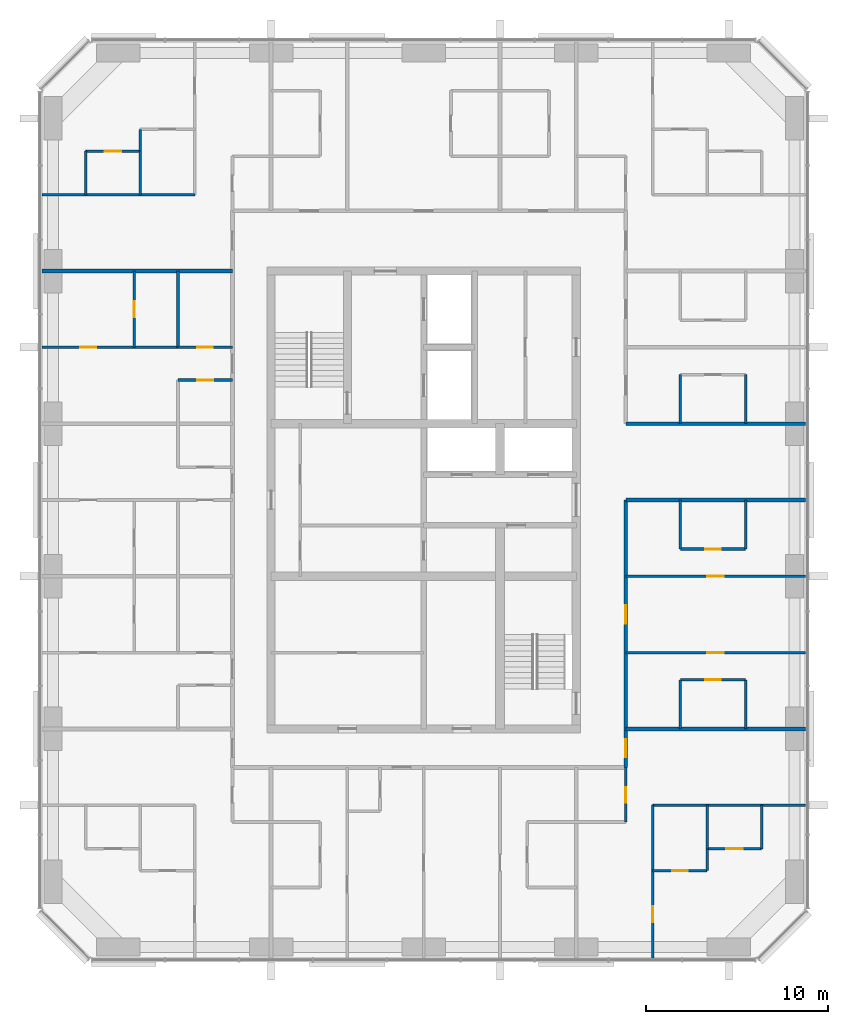
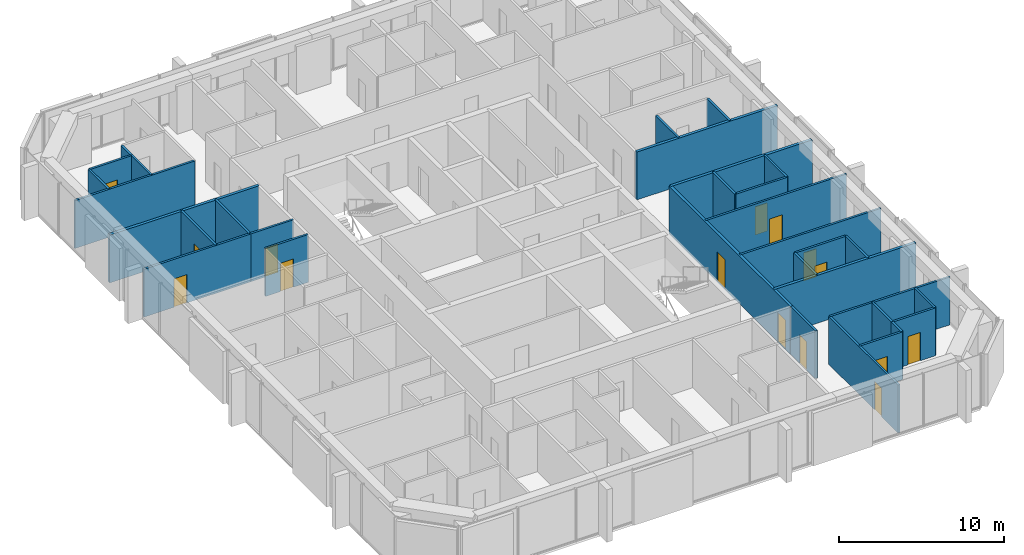
# One storey, part 9 of 12: 33 walls, 15 doors, 15 openings.
"""IFC4 building model written with IfcOpenShell, lengths in metres."""

from ifc_helpers import new_model, si_unit, direction, frame, frame_2d, origin, place, context, subcontext, project, spatial, rectangle, extrude, material, layer, layer_set, type_object, element, fill, save


model = new_model("IFC4")

# Units and contexts
model_context = context("Model", 3, precision=1e-05, world=origin(), true_north=direction((0.0, 1.0)))
body_context = subcontext(model_context, "Body", "Model", "MODEL_VIEW")
ifc_project = project(units=[si_unit("LENGTHUNIT", "METRE"), si_unit("AREAUNIT", "SQUARE_METRE"), si_unit("VOLUMEUNIT", "CUBIC_METRE"), si_unit("PLANEANGLEUNIT", "RADIAN"), si_unit("MASSUNIT", "GRAM", prefix="KILO")], contexts=[model_context])

# Site, building, storey
site_placement = place(None, origin())
site = spatial("IfcSite", under=ifc_project, at=site_placement, CompositionType="ELEMENT")
building_placement = place(site_placement, origin())
building = spatial("IfcBuilding", under=site, at=building_placement, Name="Dunama Terrace Hotel", CompositionType="ELEMENT")
storey_placement = place(building_placement, frame((0.0, 0.0, 256.800048828125)))
storey = spatial("IfcBuildingStorey", under=building, at=storey_placement, Name="L66", CompositionType="ELEMENT", Elevation=256.800048828125)

# Wall
ifc_material_1 = material(Name="Gypsum board partition", Category="masonry")
ifc_layer_1 = layer(ifc_material_1, 0.14990234375)
ifc_layer_set_1 = layer_set([ifc_layer_1], Name="Bathroom partition 150")
wall_type_1 = type_object("IfcWallType", Name="Bathroom partition 150", PredefinedType="PARTITIONING", material=ifc_layer_set_1)
wall_1_placement = place(storey_placement, frame((18.0, 48.60009765625, 0.0), z_axis=(0.0, 0.0, 1.0), x_axis=(0.0, 1.0, 0.0)))
element("IfcWall", 1, at=wall_1_placement, inside=storey, type_object=wall_type_1, Name="Bathroom partition 150 L66", PredefinedType="PARTITIONING", context=body_context, shape_type="SweptSolid", body=[
    extrude(rectangle(XDim=1.199951171875, YDim=0.14990234375, at=frame_2d((0.60009765625, 0.0))), origin(), (0.0, 0.0, 1.0), 3.550048828125),
])

# Wall, opening, door
wall_2_placement = place(storey_placement, frame((44.72509765625, 11.675048828125, 0.0), z_axis=(0.0, 0.0, 1.0), x_axis=(0.0, 1.0, 0.0)))
wall_2 = element("IfcWall", 2, at=wall_2_placement, inside=storey, type_object=wall_type_1, Name="Bathroom partition 150 L66", PredefinedType="PARTITIONING", context=body_context, shape_type="SweptSolid", body=[
    extrude(rectangle(XDim=3.0, YDim=0.14990234375, at=frame_2d((1.5, 0.0))), origin(), (0.0, 0.0, 1.0), 3.550048828125),
])
opening_1_placement = place(wall_2_placement, frame((1.074951171875, 0.0, 0.0)))
opening_1 = element("IfcOpeningElement", 3, at=opening_1_placement, cuts=wall_2, Name="Opening L65-67-050", PredefinedType="OPENING", context=body_context, shape_type="SweptSolid", body=[
    extrude(rectangle(XDim=0.85009765625, YDim=2.10009765625, at=frame_2d((0.425048828125, 1.050048828125))), frame((0.0, 0.0849609375, 0.0), z_axis=(0.0, -1.0, 0.0), x_axis=(1.0, 0.0, 0.0)), (0.0, 0.0, 1.0), 0.169921875),
])
ifc_material_2 = material(Name="Timber door with steel frame", Category="steel")
door_type_1 = type_object("IfcDoorType", Name="Bathroom door 850", OperationType="SINGLE_SWING_LEFT", PredefinedType="DOOR", material=ifc_material_2)
door_1_placement = place(opening_1_placement, origin())
door_1 = element("IfcDoor", 4, at=door_1_placement, inside=storey, type_object=door_type_1, Name="Door to powder room L65-67-050, type D2", OperationType="SINGLE_SWING_RIGHT", OverallHeight=2.10009765625, OverallWidth=0.85009765625, PredefinedType="DOOR", context=body_context, shape_type="SweptSolid", body=[
    extrude(rectangle(XDim=0.85009765625, YDim=2.10009765625, at=frame_2d((0.425048828125, 1.050048828125))), frame((0.0, 0.02490234375, 0.0), z_axis=(0.0, -1.0, 0.0), x_axis=(1.0, 0.0, 0.0)), (0.0, 0.0, 1.0), 0.050048828125),
])
fill(opening_1, door_1)

# Walls
for number, where, z_axis, x_axis, name in (
    (5, (47.72509765625, 16.800048828125, 0.0), (0.0, 0.0, 1.0), (0.0, 1.0, 0.0), "Bathroom partition 150 L66"),
    (6, (47.72509765625, 26.699951171875, 0.0), (0.0, 0.0, 1.0), (0.0, 1.0, 0.0), "Bathroom partition 150 L66"),
    (7, (47.72509765625, 33.60009765625, 0.0), (0.0, 0.0, 1.0), (0.0, 1.0, 0.0), "Bathroom partition 150 L66"),
):
    element("IfcWall", number, at=place(storey_placement, frame(where, z_axis=z_axis, x_axis=x_axis)), inside=storey, type_object=wall_type_1, Name=name, PredefinedType="PARTITIONING", context=body_context, shape_type="SweptSolid", body=[
        extrude(rectangle(XDim=2.699951171875, YDim=0.14990234375, at=frame_2d((1.35009765625, 0.0))), origin(), (0.0, 0.0, 1.0), 3.550048828125),
    ])
wall_3_placement = place(storey_placement, frame((49.199951171875, 9.0, 0.0), z_axis=(0.0, 0.0, 1.0), x_axis=(0.0, 1.0, 0.0)))
element("IfcWall", 8, at=wall_3_placement, inside=storey, type_object=wall_type_1, Name="Bathroom partition 150 L66", PredefinedType="PARTITIONING", context=body_context, shape_type="SweptSolid", body=[
    extrude(rectangle(XDim=1.199951171875, YDim=0.14990234375, at=frame_2d((0.60009765625, 0.0))), origin(), (0.0, 0.0, 1.0), 3.550048828125),
])
for number, where, z_axis, x_axis, name in (
    (9, (51.324951171875, 16.800048828125, 0.0), (0.0, 0.0, 1.0), (0.0, 1.0, 0.0), "Bathroom partition 150 L66"),
    (10, (51.324951171875, 26.699951171875, 0.0), (0.0, 0.0, 1.0), (0.0, 1.0, 0.0), "Bathroom partition 150 L66"),
    (11, (51.324951171875, 33.60009765625, 0.0), (0.0, 0.0, 1.0), (0.0, 1.0, 0.0), "Bathroom partition 150 L66"),
):
    element("IfcWall", number, at=place(storey_placement, frame(where, z_axis=z_axis, x_axis=x_axis)), inside=storey, type_object=wall_type_1, Name=name, PredefinedType="PARTITIONING", context=body_context, shape_type="SweptSolid", body=[
        extrude(rectangle(XDim=2.699951171875, YDim=0.14990234375, at=frame_2d((1.35009765625, 0.0))), origin(), (0.0, 0.0, 1.0), 3.550048828125),
    ])

# Wall, opening, door
wall_4_placement = place(storey_placement, frame((46.199951171875, 9.0, 0.0), z_axis=(0.0, 0.0, 1.0), x_axis=(1.0, 0.0, 0.0)))
wall_4 = element("IfcWall", 12, at=wall_4_placement, inside=storey, type_object=wall_type_1, Name="Bathroom partition 150 L66", PredefinedType="PARTITIONING", context=body_context, shape_type="SweptSolid", body=[
    extrude(rectangle(XDim=3.0, YDim=0.14990234375, at=frame_2d((1.5, 0.0))), origin(), (0.0, 0.0, 1.0), 3.550048828125),
])
opening_2_placement = place(wall_4_placement, frame((1.074951171875, 0.0, 0.0)))
opening_2 = element("IfcOpeningElement", 13, at=opening_2_placement, cuts=wall_4, Name="Opening L65-67-052", PredefinedType="OPENING", context=body_context, shape_type="SweptSolid", body=[
    extrude(rectangle(XDim=0.85009765625, YDim=2.10009765625, at=frame_2d((0.425048828125, 1.050048828125))), frame((0.0, 0.0849609375, 0.0), z_axis=(0.0, -1.0, 0.0), x_axis=(1.0, 0.0, 0.0)), (0.0, 0.0, 1.0), 0.169921875),
])
door_2_placement = place(opening_2_placement, origin())
door_2 = element("IfcDoor", 14, at=door_2_placement, inside=storey, type_object=door_type_1, Name="Door to en-suite bathroom L65-67-052, type D2", OperationType="SINGLE_SWING_RIGHT", OverallHeight=2.10009765625, OverallWidth=0.85009765625, PredefinedType="DOOR", context=body_context, shape_type="SweptSolid", body=[
    extrude(rectangle(XDim=0.85009765625, YDim=2.10009765625, at=frame_2d((0.425048828125, 1.050048828125))), frame((0.0, 0.02490234375, 0.0), z_axis=(0.0, -1.0, 0.0), x_axis=(1.0, 0.0, 0.0)), (0.0, 0.0, 1.0), 0.050048828125),
])
fill(opening_2, door_2)

wall_5_placement = place(storey_placement, frame((47.72509765625, 19.5, 0.0), z_axis=(0.0, 0.0, 1.0), x_axis=(1.0, 0.0, 0.0)))
wall_5 = element("IfcWall", 15, at=wall_5_placement, inside=storey, type_object=wall_type_1, Name="Bathroom partition 150 L66", PredefinedType="PARTITIONING", context=body_context, shape_type="SweptSolid", body=[
    extrude(rectangle(XDim=3.599853515625, YDim=0.14990234375, at=frame_2d((1.7998046875, 0.0))), origin(), (0.0, 0.0, 1.0), 3.550048828125),
])
opening_3_placement = place(wall_5_placement, frame((1.375, 0.0, 0.0)))
opening_3 = element("IfcOpeningElement", 16, at=opening_3_placement, cuts=wall_5, Name="Opening L65-67-016", PredefinedType="OPENING", context=body_context, shape_type="SweptSolid", body=[
    extrude(rectangle(XDim=0.85009765625, YDim=2.10009765625, at=frame_2d((0.425048828125, 1.050048828125))), frame((0.0, 0.0849609375, 0.0), z_axis=(0.0, -1.0, 0.0), x_axis=(1.0, 0.0, 0.0)), (0.0, 0.0, 1.0), 0.169921875),
])
door_3_placement = place(opening_3_placement, frame((0.85009765625, 0.0, 0.0), z_axis=(0.0, 0.0, 1.0), x_axis=(-1.0, 0.0, 0.0)))
door_3 = element("IfcDoor", 17, at=door_3_placement, inside=storey, type_object=door_type_1, Name="Door to en-suite bathroom L65-67-016, type D2", OperationType="SINGLE_SWING_RIGHT", OverallHeight=2.10009765625, OverallWidth=0.85009765625, PredefinedType="DOOR", context=body_context, shape_type="SweptSolid", body=[
    extrude(rectangle(XDim=0.85009765625, YDim=2.10009765625, at=frame_2d((0.425048828125, 1.050048828125))), frame((0.0, 0.025146484375, 0.0), z_axis=(0.0, -1.0, 0.0), x_axis=(1.0, 0.0, 0.0)), (0.0, 0.0, 1.0), 0.050048828125),
])
fill(opening_3, door_3)

wall_6_placement = place(storey_placement, frame((47.72509765625, 26.699951171875, 0.0), z_axis=(0.0, 0.0, 1.0), x_axis=(1.0, 0.0, 0.0)))
wall_6 = element("IfcWall", 18, at=wall_6_placement, inside=storey, type_object=wall_type_1, Name="Bathroom partition 150 L66", PredefinedType="PARTITIONING", context=body_context, shape_type="SweptSolid", body=[
    extrude(rectangle(XDim=3.599853515625, YDim=0.14990234375, at=frame_2d((1.7998046875, 0.0))), origin(), (0.0, 0.0, 1.0), 3.550048828125),
])
opening_4_placement = place(wall_6_placement, frame((1.375, 0.0, 0.0)))
opening_4 = element("IfcOpeningElement", 19, at=opening_4_placement, cuts=wall_6, Name="Opening L65-67-018", PredefinedType="OPENING", context=body_context, shape_type="SweptSolid", body=[
    extrude(rectangle(XDim=0.85009765625, YDim=2.10009765625, at=frame_2d((0.425048828125, 1.050048828125))), frame((0.0, 0.0849609375, 0.0), z_axis=(0.0, -1.0, 0.0), x_axis=(1.0, 0.0, 0.0)), (0.0, 0.0, 1.0), 0.169921875),
])
door_4_placement = place(opening_4_placement, origin())
door_4 = element("IfcDoor", 20, at=door_4_placement, inside=storey, type_object=door_type_1, Name="Door to en-suite bathroom L65-67-018, type D2", OperationType="SINGLE_SWING_LEFT", OverallHeight=2.10009765625, OverallWidth=0.85009765625, PredefinedType="DOOR", context=body_context, shape_type="SweptSolid", body=[
    extrude(rectangle(XDim=0.85009765625, YDim=2.10009765625, at=frame_2d((0.425048828125, 1.050048828125))), frame((0.0, 0.02490234375, 0.0), z_axis=(0.0, -1.0, 0.0), x_axis=(1.0, 0.0, 0.0)), (0.0, 0.0, 1.0), 0.050048828125),
])
fill(opening_4, door_4)

wall_7_placement = place(storey_placement, frame((20.074951171875, 37.800048828125, 0.0), z_axis=(0.0, 0.0, 1.0), x_axis=(1.0, 0.0, 0.0)))
wall_7 = element("IfcWall", 21, at=wall_7_placement, inside=storey, type_object=wall_type_1, Name="Bathroom partition 150 L66", PredefinedType="PARTITIONING", context=body_context, shape_type="SweptSolid", body=[
    extrude(rectangle(XDim=3.0, YDim=0.14990234375, at=frame_2d((1.5, 0.0))), origin(), (0.0, 0.0, 1.0), 3.550048828125),
])
opening_5_placement = place(wall_7_placement, frame((1.074951171875, 0.0, 0.0)))
opening_5 = element("IfcOpeningElement", 22, at=opening_5_placement, cuts=wall_7, Name="Opening L65-67-041", PredefinedType="OPENING", context=body_context, shape_type="SweptSolid", body=[
    extrude(rectangle(XDim=0.85009765625, YDim=2.10009765625, at=frame_2d((0.425048828125, 1.050048828125))), frame((0.0, 0.0849609375, 0.0), z_axis=(0.0, -1.0, 0.0), x_axis=(1.0, 0.0, 0.0)), (0.0, 0.0, 1.0), 0.169921875),
])
door_5_placement = place(opening_5_placement, origin())
door_5 = element("IfcDoor", 23, at=door_5_placement, inside=storey, type_object=door_type_1, Name="Door to residence bathroom L65-67-041, type D2", OperationType="SINGLE_SWING_RIGHT", OverallHeight=2.10009765625, OverallWidth=0.85009765625, PredefinedType="DOOR", context=body_context, shape_type="SweptSolid", body=[
    extrude(rectangle(XDim=0.85009765625, YDim=2.10009765625, at=frame_2d((0.425048828125, 1.050048828125))), frame((0.0, 0.02490234375, 0.0), z_axis=(0.0, -1.0, 0.0), x_axis=(1.0, 0.0, 0.0)), (0.0, 0.0, 1.0), 0.050048828125),
])
fill(opening_5, door_5)

# Wall
ifc_material_3 = material(Name="Concrete blockwork", Category="masonry")
ifc_layer_2 = layer(ifc_material_3, 0.199951171875)
ifc_layer_set_2 = layer_set([ifc_layer_2], Name="Corridor partition 200")
wall_type_2 = type_object("IfcWallType", Name="Corridor partition 200", PredefinedType="PARTITIONING", material=ifc_layer_set_2)
wall_8_placement = place(storey_placement, frame((44.72509765625, 33.60009765625, 0.0), z_axis=(0.0, 0.0, 1.0), x_axis=(1.0, 0.0, 0.0)))
element("IfcWall", 24, at=wall_8_placement, inside=storey, type_object=wall_type_2, Name="Corridor partition 200 L66", PredefinedType="PARTITIONING", context=body_context, shape_type="SweptSolid", body=[
    extrude(rectangle(XDim=9.892822265625, YDim=0.199951171875, at=frame_2d((4.9462890625, 0.0))), origin(), (0.0, 0.0, 1.0), 3.550048828125),
])

# Wall, openings, doors
wall_9_placement = place(storey_placement, frame((44.72509765625, 29.39990234375, 0.0), z_axis=(0.0, 0.0, 1.0), x_axis=(0.0, -1.0, 0.0)))
wall_9 = element("IfcWall", 25, at=wall_9_placement, inside=storey, type_object=wall_type_2, Name="Corridor partition 200 L66", PredefinedType="PARTITIONING", context=body_context, shape_type="SweptSolid", body=[
    extrude(rectangle(XDim=14.724853515625, YDim=0.199951171875, at=frame_2d((7.3623046875, 0.0))), origin(), (0.0, 0.0, 1.0), 3.550048828125),
])
opening_6_placement = place(wall_9_placement, frame((5.800048828125, 0.0, 0.0)))
opening_6 = element("IfcOpeningElement", 26, at=opening_6_placement, cuts=wall_9, Name="Opening L65-67-014", PredefinedType="OPENING", context=body_context, shape_type="SweptSolid", body=[
    extrude(rectangle(XDim=1.0, YDim=2.199951171875, at=frame_2d((0.5, 1.10009765625))), frame((0.0, 0.10986328125, 0.0), z_axis=(0.0, -1.0, 0.0), x_axis=(1.0, 0.0, 0.0)), (0.0, 0.0, 1.0), 0.219970703125),
])
opening_7_placement = place(wall_9_placement, frame((13.162109375, 0.0, 0.0)))
opening_7 = element("IfcOpeningElement", 27, at=opening_7_placement, cuts=wall_9, Name="Opening L65-67-049", PredefinedType="OPENING", context=body_context, shape_type="SweptSolid", body=[
    extrude(rectangle(XDim=1.0, YDim=2.199951171875, at=frame_2d((0.5, 1.10009765625))), frame((0.0, 0.10986328125, 0.0), z_axis=(0.0, -1.0, 0.0), x_axis=(1.0, 0.0, 0.0)), (0.0, 0.0, 1.0), 0.219970703125),
])
ifc_material_4 = material(Name="Timber door with steel frame", Category="steel")
door_type_2 = type_object("IfcDoorType", Name="Guest room door 1000", OperationType="SINGLE_SWING_LEFT", PredefinedType="DOOR", material=ifc_material_4)
door_6_placement = place(opening_6_placement, origin())
door_6 = element("IfcDoor", 28, at=door_6_placement, inside=storey, type_object=door_type_2, Name="Door to two-bedroom suite living room L65-67-014, type D1", OperationType="SINGLE_SWING_RIGHT", OverallHeight=2.199951171875, OverallWidth=1.0, PredefinedType="DOOR", context=body_context, shape_type="SweptSolid", body=[
    extrude(rectangle(XDim=1.0, YDim=2.199951171875, at=frame_2d((0.5, 1.10009765625))), frame((0.0, 0.02490234375, 0.0), z_axis=(0.0, -1.0, 0.0), x_axis=(1.0, 0.0, 0.0)), (0.0, 0.0, 1.0), 0.050048828125),
])
fill(opening_6, door_6)
door_7_placement = place(opening_7_placement, origin())
door_7 = element("IfcDoor", 29, at=door_7_placement, inside=storey, type_object=door_type_2, Name="Door to grand corner suite living room L65-67-049, type D1", OperationType="SINGLE_SWING_LEFT", OverallHeight=2.199951171875, OverallWidth=1.0, PredefinedType="DOOR", context=body_context, shape_type="SweptSolid", body=[
    extrude(rectangle(XDim=1.0, YDim=2.199951171875, at=frame_2d((0.5, 1.10009765625))), frame((0.0, 0.02490234375, 0.0), z_axis=(0.0, -1.0, 0.0), x_axis=(1.0, 0.0, 0.0)), (0.0, 0.0, 1.0), 0.050048828125),
])
fill(opening_7, door_7)

# Walls
wall_10_placement = place(storey_placement, frame((54.617919921875, 29.39990234375, 0.0), z_axis=(0.0, 0.0, 1.0), x_axis=(-1.0, 0.0, 0.0)))
element("IfcWall", 30, at=wall_10_placement, inside=storey, type_object=wall_type_2, Name="Corridor partition 200 L66", PredefinedType="PARTITIONING", context=body_context, shape_type="SweptSolid", body=[
    extrude(rectangle(XDim=9.892822265625, YDim=0.199951171875, at=frame_2d((4.9462890625, 0.0))), origin(), (0.0, 0.0, 1.0), 3.550048828125),
])
ifc_material_5 = material(Name="Concrete blockwork", Category="masonry")
ifc_layer_3 = layer(ifc_material_5, 0.199951171875)
ifc_layer_set_3 = layer_set([ifc_layer_3], Name="Party wall 200")
wall_type_3 = type_object("IfcWallType", Name="Party wall 200", PredefinedType="PARTITIONING", material=ifc_layer_set_3)
wall_11_placement = place(storey_placement, frame((44.72509765625, 16.800048828125, 0.0), z_axis=(0.0, 0.0, 1.0), x_axis=(1.0, 0.0, 0.0)))
element("IfcWall", 31, at=wall_11_placement, inside=storey, type_object=wall_type_3, Name="Party wall 200 L66", PredefinedType="PARTITIONING", context=body_context, shape_type="SweptSolid", body=[
    extrude(rectangle(XDim=9.892822265625, YDim=0.199951171875, at=frame_2d((4.9462890625, 0.0))), origin(), (0.0, 0.0, 1.0), 3.550048828125),
])
wall_12_placement = place(storey_placement, frame((12.58203125, 42.0, 0.0), z_axis=(0.0, 0.0, 1.0), x_axis=(1.0, 0.0, 0.0)))
element("IfcWall", 32, at=wall_12_placement, inside=storey, type_object=wall_type_3, Name="Party wall 200 L66", PredefinedType="PARTITIONING", context=body_context, shape_type="SweptSolid", body=[
    extrude(rectangle(XDim=10.492919921875, YDim=0.199951171875, at=frame_2d((5.24658203125, 0.0))), origin(), (0.0, 0.0, 1.0), 3.550048828125),
])
ifc_material_6 = material(Name="Gypsum board partition", Category="masonry")
ifc_layer_4 = layer(ifc_material_6, 0.14990234375)
ifc_layer_set_4 = layer_set([ifc_layer_4], Name="Room partition 150")
wall_type_4 = type_object("IfcWallType", Name="Room partition 150", PredefinedType="PARTITIONING", material=ifc_layer_set_4)
wall_13_placement = place(storey_placement, frame((15.0, 46.199951171875, 0.0), z_axis=(0.0, 0.0, 1.0), x_axis=(0.0, 1.0, 0.0)))
element("IfcWall", 33, at=wall_13_placement, inside=storey, type_object=wall_type_4, Name="Room partition 150 L66", PredefinedType="PARTITIONING", context=body_context, shape_type="SweptSolid", body=[
    extrude(rectangle(XDim=2.400146484375, YDim=0.14990234375, at=frame_2d((1.2001953125, 0.0))), origin(), (0.0, 0.0, 1.0), 3.550048828125),
])

# Wall, opening, door
wall_14_placement = place(storey_placement, frame((17.675048828125, 37.800048828125, 0.0), z_axis=(0.0, 0.0, 1.0), x_axis=(0.0, 1.0, 0.0)))
wall_14 = element("IfcWall", 34, at=wall_14_placement, inside=storey, type_object=wall_type_4, Name="Room partition 150 L66", PredefinedType="PARTITIONING", context=body_context, shape_type="SweptSolid", body=[
    extrude(rectangle(XDim=4.199951171875, YDim=0.14990234375, at=frame_2d((2.10009765625, 0.0))), origin(), (0.0, 0.0, 1.0), 3.550048828125),
])
opening_8_placement = place(wall_14_placement, frame((1.64990234375, 0.0, 0.0)))
opening_8 = element("IfcOpeningElement", 35, at=opening_8_placement, cuts=wall_14, Name="Opening L65-67-042", PredefinedType="OPENING", context=body_context, shape_type="SweptSolid", body=[
    extrude(rectangle(XDim=0.89990234375, YDim=2.10009765625, at=frame_2d((0.449951171875, 1.050048828125))), frame((0.0, 0.0849609375, 0.0), z_axis=(0.0, -1.0, 0.0), x_axis=(1.0, 0.0, 0.0)), (0.0, 0.0, 1.0), 0.169921875),
])
ifc_material_7 = material(Name="Timber door with steel frame", Category="steel")
door_type_3 = type_object("IfcDoorType", Name="Suite internal door 900", OperationType="SINGLE_SWING_LEFT", PredefinedType="DOOR", material=ifc_material_7)
door_8_placement = place(opening_8_placement, frame((0.89990234375, 0.0, 0.0), z_axis=(0.0, 0.0, 1.0), x_axis=(-1.0, 0.0, 0.0)))
door_8 = element("IfcDoor", 36, at=door_8_placement, inside=storey, type_object=door_type_3, Name="Door to walk-in wardrobe L65-67-042, type D16", OperationType="SINGLE_SWING_RIGHT", OverallHeight=2.10009765625, OverallWidth=0.89990234375, PredefinedType="DOOR", context=body_context, shape_type="SweptSolid", body=[
    extrude(rectangle(XDim=0.89990234375, YDim=2.10009765625, at=frame_2d((0.449951171875, 1.050048828125))), frame((0.0, 0.025146484375, 0.0), z_axis=(0.0, -1.0, 0.0), x_axis=(1.0, 0.0, 0.0)), (0.0, 0.0, 1.0), 0.050048828125),
])
fill(opening_8, door_8)

# Walls
wall_15_placement = place(storey_placement, frame((18.0, 46.199951171875, 0.0), z_axis=(0.0, 0.0, 1.0), x_axis=(0.0, 1.0, 0.0)))
element("IfcWall", 37, at=wall_15_placement, inside=storey, type_object=wall_type_4, Name="Room partition 150 L66", PredefinedType="PARTITIONING", context=body_context, shape_type="SweptSolid", body=[
    extrude(rectangle(XDim=2.400146484375, YDim=0.14990234375, at=frame_2d((1.2001953125, 0.0))), origin(), (0.0, 0.0, 1.0), 3.550048828125),
])
wall_16_placement = place(storey_placement, frame((20.074951171875, 37.800048828125, 0.0), z_axis=(0.0, 0.0, 1.0), x_axis=(0.0, 1.0, 0.0)))
element("IfcWall", 38, at=wall_16_placement, inside=storey, type_object=wall_type_4, Name="Room partition 150 L66", PredefinedType="PARTITIONING", context=body_context, shape_type="SweptSolid", body=[
    extrude(rectangle(XDim=4.199951171875, YDim=0.14990234375, at=frame_2d((2.10009765625, 0.0))), origin(), (0.0, 0.0, 1.0), 3.550048828125),
])

# Wall, opening, door
wall_17_placement = place(storey_placement, frame((46.199951171875, 4.181884765625, 0.0), z_axis=(0.0, 0.0, 1.0), x_axis=(0.0, 1.0, 0.0)))
wall_17 = element("IfcWall", 39, at=wall_17_placement, inside=storey, type_object=wall_type_4, Name="Room partition 150 L66", PredefinedType="PARTITIONING", context=body_context, shape_type="SweptSolid", body=[
    extrude(rectangle(XDim=8.418212890625, YDim=0.14990234375, at=frame_2d((4.208984375, 0.0))), origin(), (0.0, 0.0, 1.0), 3.550048828125),
])
opening_9_placement = place(wall_17_placement, frame((1.968017578125, 0.0, 0.0)))
opening_9 = element("IfcOpeningElement", 40, at=opening_9_placement, cuts=wall_17, Name="Opening L65-67-051", PredefinedType="OPENING", context=body_context, shape_type="SweptSolid", body=[
    extrude(rectangle(XDim=0.89990234375, YDim=2.10009765625, at=frame_2d((0.449951171875, 1.050048828125))), frame((0.0, 0.0849609375, 0.0), z_axis=(0.0, -1.0, 0.0), x_axis=(1.0, 0.0, 0.0)), (0.0, 0.0, 1.0), 0.169921875),
])
door_9_placement = place(opening_9_placement, frame((0.89990234375, 0.0, 0.0), z_axis=(0.0, 0.0, 1.0), x_axis=(-1.0, 0.0, 0.0)))
door_9 = element("IfcDoor", 41, at=door_9_placement, inside=storey, type_object=door_type_3, Name="Door to grand corner suite bedroom L65-67-051, type D16", OperationType="SINGLE_SWING_LEFT", OverallHeight=2.10009765625, OverallWidth=0.89990234375, PredefinedType="DOOR", context=body_context, shape_type="SweptSolid", body=[
    extrude(rectangle(XDim=0.89990234375, YDim=2.10009765625, at=frame_2d((0.449951171875, 1.050048828125))), frame((0.0, 0.025146484375, 0.0), z_axis=(0.0, -1.0, 0.0), x_axis=(1.0, 0.0, 0.0)), (0.0, 0.0, 1.0), 0.050048828125),
])
fill(opening_9, door_9)

# Walls
for number, where, z_axis, x_axis, name in (
    (42, (49.199951171875, 10.199951171875, 0.0), (0.0, 0.0, 1.0), (0.0, 1.0, 0.0), "Room partition 150 L66"),
    (43, (52.199951171875, 10.199951171875, 0.0), (0.0, 0.0, 1.0), (0.0, 1.0, 0.0), "Room partition 150 L66"),
):
    element("IfcWall", number, at=place(storey_placement, frame(where, z_axis=z_axis, x_axis=x_axis)), inside=storey, type_object=wall_type_4, Name=name, PredefinedType="PARTITIONING", context=body_context, shape_type="SweptSolid", body=[
        extrude(rectangle(XDim=2.400146484375, YDim=0.14990234375, at=frame_2d((1.2001953125, 0.0))), origin(), (0.0, 0.0, 1.0), 3.550048828125),
    ])

# Wall, opening, door
wall_18_placement = place(storey_placement, frame((49.199951171875, 10.199951171875, 0.0), z_axis=(0.0, 0.0, 1.0), x_axis=(1.0, 0.0, 0.0)))
wall_18 = element("IfcWall", 44, at=wall_18_placement, inside=storey, type_object=wall_type_4, Name="Room partition 150 L66", PredefinedType="PARTITIONING", context=body_context, shape_type="SweptSolid", body=[
    extrude(rectangle(XDim=3.0, YDim=0.14990234375, at=frame_2d((1.5, 0.0))), origin(), (0.0, 0.0, 1.0), 3.550048828125),
])
opening_10_placement = place(wall_18_placement, frame((1.050048828125, 0.0, 0.0)))
opening_10 = element("IfcOpeningElement", 45, at=opening_10_placement, cuts=wall_18, Name="Opening L65-67-053", PredefinedType="OPENING", context=body_context, shape_type="SweptSolid", body=[
    extrude(rectangle(XDim=0.89990234375, YDim=2.10009765625, at=frame_2d((0.449951171875, 1.050048828125))), frame((0.0, 0.0849609375, 0.0), z_axis=(0.0, -1.0, 0.0), x_axis=(1.0, 0.0, 0.0)), (0.0, 0.0, 1.0), 0.169921875),
])
door_10_placement = place(opening_10_placement, origin())
door_10 = element("IfcDoor", 46, at=door_10_placement, inside=storey, type_object=door_type_3, Name="Door to dressing room L65-67-053, type D16", OperationType="SINGLE_SWING_LEFT", OverallHeight=2.10009765625, OverallWidth=0.89990234375, PredefinedType="DOOR", context=body_context, shape_type="SweptSolid", body=[
    extrude(rectangle(XDim=0.89990234375, YDim=2.10009765625, at=frame_2d((0.449951171875, 1.050048828125))), frame((0.0, 0.02490234375, 0.0), z_axis=(0.0, -1.0, 0.0), x_axis=(1.0, 0.0, 0.0)), (0.0, 0.0, 1.0), 0.050048828125),
])
fill(opening_10, door_10)

# Wall
wall_19_placement = place(storey_placement, frame((46.199951171875, 12.60009765625, 0.0), z_axis=(0.0, 0.0, 1.0), x_axis=(1.0, 0.0, 0.0)))
element("IfcWall", 47, at=wall_19_placement, inside=storey, type_object=wall_type_4, Name="Room partition 150 L66", PredefinedType="PARTITIONING", context=body_context, shape_type="SweptSolid", body=[
    extrude(rectangle(XDim=8.41796875, YDim=0.14990234375, at=frame_2d((4.208984375, 0.0))), origin(), (0.0, 0.0, 1.0), 3.550048828125),
])

# Wall, opening, door
wall_20_placement = place(storey_placement, frame((44.72509765625, 21.0, 0.0), z_axis=(0.0, 0.0, 1.0), x_axis=(1.0, 0.0, 0.0)))
wall_20 = element("IfcWall", 48, at=wall_20_placement, inside=storey, type_object=wall_type_4, Name="Room partition 150 L66", PredefinedType="PARTITIONING", context=body_context, shape_type="SweptSolid", body=[
    extrude(rectangle(XDim=9.892822265625, YDim=0.14990234375, at=frame_2d((4.9462890625, 0.0))), origin(), (0.0, 0.0, 1.0), 3.550048828125),
])
opening_11_placement = place(wall_20_placement, frame((4.487060546875, 0.0, 0.0)))
opening_11 = element("IfcOpeningElement", 49, at=opening_11_placement, cuts=wall_20, Name="Opening L65-67-015", PredefinedType="OPENING", context=body_context, shape_type="SweptSolid", body=[
    extrude(rectangle(XDim=0.89990234375, YDim=2.10009765625, at=frame_2d((0.449951171875, 1.050048828125))), frame((0.0, 0.0849609375, 0.0), z_axis=(0.0, -1.0, 0.0), x_axis=(1.0, 0.0, 0.0)), (0.0, 0.0, 1.0), 0.169921875),
])
door_11_placement = place(opening_11_placement, frame((0.89990234375, 0.0, 0.0), z_axis=(0.0, 0.0, 1.0), x_axis=(-1.0, 0.0, 0.0)))
door_11 = element("IfcDoor", 50, at=door_11_placement, inside=storey, type_object=door_type_3, Name="Door to two-bedroom suite bedroom L65-67-015, type D16", OperationType="SINGLE_SWING_RIGHT", OverallHeight=2.10009765625, OverallWidth=0.89990234375, PredefinedType="DOOR", context=body_context, shape_type="SweptSolid", body=[
    extrude(rectangle(XDim=0.89990234375, YDim=2.10009765625, at=frame_2d((0.449951171875, 1.050048828125))), frame((0.0, 0.025146484375, 0.0), z_axis=(0.0, -1.0, 0.0), x_axis=(1.0, 0.0, 0.0)), (0.0, 0.0, 1.0), 0.050048828125),
])
fill(opening_11, door_11)

wall_21_placement = place(storey_placement, frame((44.72509765625, 25.199951171875, 0.0), z_axis=(0.0, 0.0, 1.0), x_axis=(1.0, 0.0, 0.0)))
wall_21 = element("IfcWall", 51, at=wall_21_placement, inside=storey, type_object=wall_type_4, Name="Room partition 150 L66", PredefinedType="PARTITIONING", context=body_context, shape_type="SweptSolid", body=[
    extrude(rectangle(XDim=9.892822265625, YDim=0.14990234375, at=frame_2d((4.9462890625, 0.0))), origin(), (0.0, 0.0, 1.0), 3.550048828125),
])
opening_12_placement = place(wall_21_placement, frame((4.487060546875, 0.0, 0.0)))
opening_12 = element("IfcOpeningElement", 52, at=opening_12_placement, cuts=wall_21, Name="Opening L65-67-017", PredefinedType="OPENING", context=body_context, shape_type="SweptSolid", body=[
    extrude(rectangle(XDim=0.89990234375, YDim=2.10009765625, at=frame_2d((0.449951171875, 1.050048828125))), frame((0.0, 0.0849609375, 0.0), z_axis=(0.0, -1.0, 0.0), x_axis=(1.0, 0.0, 0.0)), (0.0, 0.0, 1.0), 0.169921875),
])
door_12_placement = place(opening_12_placement, origin())
door_12 = element("IfcDoor", 53, at=door_12_placement, inside=storey, type_object=door_type_3, Name="Door to two-bedroom suite second bedroom L65-67-017, type D16", OperationType="SINGLE_SWING_LEFT", OverallHeight=2.10009765625, OverallWidth=0.89990234375, PredefinedType="DOOR", context=body_context, shape_type="SweptSolid", body=[
    extrude(rectangle(XDim=0.89990234375, YDim=2.10009765625, at=frame_2d((0.449951171875, 1.050048828125))), frame((0.0, 0.02490234375, 0.0), z_axis=(0.0, -1.0, 0.0), x_axis=(1.0, 0.0, 0.0)), (0.0, 0.0, 1.0), 0.050048828125),
])
fill(opening_12, door_12)

wall_22_placement = place(storey_placement, frame((20.074951171875, 36.0, 0.0), z_axis=(0.0, 0.0, 1.0), x_axis=(1.0, 0.0, 0.0)))
wall_22 = element("IfcWall", 54, at=wall_22_placement, inside=storey, type_object=wall_type_4, Name="Room partition 150 L66", PredefinedType="PARTITIONING", context=body_context, shape_type="SweptSolid", body=[
    extrude(rectangle(XDim=3.0, YDim=0.14990234375, at=frame_2d((1.5, 0.0))), origin(), (0.0, 0.0, 1.0), 3.550048828125),
])
opening_13_placement = place(wall_22_placement, frame((1.050048828125, 0.0, 0.0)))
opening_13 = element("IfcOpeningElement", 55, at=opening_13_placement, cuts=wall_22, Name="Opening L65-67-040", PredefinedType="OPENING", context=body_context, shape_type="SweptSolid", body=[
    extrude(rectangle(XDim=0.89990234375, YDim=2.10009765625, at=frame_2d((0.449951171875, 1.050048828125))), frame((0.0, 0.0849609375, 0.0), z_axis=(0.0, -1.0, 0.0), x_axis=(1.0, 0.0, 0.0)), (0.0, 0.0, 1.0), 0.169921875),
])
door_13_placement = place(opening_13_placement, frame((0.89990234375, 0.0, 0.0), z_axis=(0.0, 0.0, 1.0), x_axis=(-1.0, 0.0, 0.0)))
door_13 = element("IfcDoor", 56, at=door_13_placement, inside=storey, type_object=door_type_3, Name="Door to residence kitchen L65-67-040, type D16", OperationType="SINGLE_SWING_LEFT", OverallHeight=2.10009765625, OverallWidth=0.89990234375, PredefinedType="DOOR", context=body_context, shape_type="SweptSolid", body=[
    extrude(rectangle(XDim=0.89990234375, YDim=2.10009765625, at=frame_2d((0.449951171875, 1.050048828125))), frame((0.0, 0.025146484375, 0.0), z_axis=(0.0, -1.0, 0.0), x_axis=(1.0, 0.0, 0.0)), (0.0, 0.0, 1.0), 0.050048828125),
])
fill(opening_13, door_13)

wall_23_placement = place(storey_placement, frame((12.58203125, 37.800048828125, 0.0), z_axis=(0.0, 0.0, 1.0), x_axis=(1.0, 0.0, 0.0)))
wall_23 = element("IfcWall", 57, at=wall_23_placement, inside=storey, type_object=wall_type_4, Name="Room partition 150 L66", PredefinedType="PARTITIONING", context=body_context, shape_type="SweptSolid", body=[
    extrude(rectangle(XDim=7.492919921875, YDim=0.14990234375, at=frame_2d((3.74658203125, 0.0))), origin(), (0.0, 0.0, 1.0), 3.550048828125),
])
opening_14_placement = place(wall_23_placement, frame((2.10595703125, 0.0, 0.0)))
opening_14 = element("IfcOpeningElement", 58, at=opening_14_placement, cuts=wall_23, Name="Opening L65-67-043", PredefinedType="OPENING", context=body_context, shape_type="SweptSolid", body=[
    extrude(rectangle(XDim=0.89990234375, YDim=2.10009765625, at=frame_2d((0.449951171875, 1.050048828125))), frame((0.0, 0.0849609375, 0.0), z_axis=(0.0, -1.0, 0.0), x_axis=(1.0, 0.0, 0.0)), (0.0, 0.0, 1.0), 0.169921875),
])
door_14_placement = place(opening_14_placement, origin())
door_14 = element("IfcDoor", 59, at=door_14_placement, inside=storey, type_object=door_type_3, Name="Door to residence bedroom L65-67-043, type D16", OperationType="SINGLE_SWING_RIGHT", OverallHeight=2.10009765625, OverallWidth=0.89990234375, PredefinedType="DOOR", context=body_context, shape_type="SweptSolid", body=[
    extrude(rectangle(XDim=0.89990234375, YDim=2.10009765625, at=frame_2d((0.449951171875, 1.050048828125))), frame((0.0, 0.02490234375, 0.0), z_axis=(0.0, -1.0, 0.0), x_axis=(1.0, 0.0, 0.0)), (0.0, 0.0, 1.0), 0.050048828125),
])
fill(opening_14, door_14)

# Wall
wall_24_placement = place(storey_placement, frame((12.58203125, 46.199951171875, 0.0), z_axis=(0.0, 0.0, 1.0), x_axis=(1.0, 0.0, 0.0)))
element("IfcWall", 60, at=wall_24_placement, inside=storey, type_object=wall_type_4, Name="Room partition 150 L66", PredefinedType="PARTITIONING", context=body_context, shape_type="SweptSolid", body=[
    extrude(rectangle(XDim=8.41796875, YDim=0.14990234375, at=frame_2d((4.208984375, 0.0))), origin(), (0.0, 0.0, 1.0), 3.550048828125),
])

# Wall, opening, door
wall_25_placement = place(storey_placement, frame((15.0, 48.60009765625, 0.0), z_axis=(0.0, 0.0, 1.0), x_axis=(1.0, 0.0, 0.0)))
wall_25 = element("IfcWall", 61, at=wall_25_placement, inside=storey, type_object=wall_type_4, Name="Room partition 150 L66", PredefinedType="PARTITIONING", context=body_context, shape_type="SweptSolid", body=[
    extrude(rectangle(XDim=3.0, YDim=0.14990234375, at=frame_2d((1.5, 0.0))), origin(), (0.0, 0.0, 1.0), 3.550048828125),
])
opening_15_placement = place(wall_25_placement, frame((1.050048828125, 0.0, 0.0)))
opening_15 = element("IfcOpeningElement", 62, at=opening_15_placement, cuts=wall_25, Name="Opening L65-67-063", PredefinedType="OPENING", context=body_context, shape_type="SweptSolid", body=[
    extrude(rectangle(XDim=0.89990234375, YDim=2.10009765625, at=frame_2d((0.449951171875, 1.050048828125))), frame((0.0, 0.0849609375, 0.0), z_axis=(0.0, -1.0, 0.0), x_axis=(1.0, 0.0, 0.0)), (0.0, 0.0, 1.0), 0.169921875),
])
door_15_placement = place(opening_15_placement, frame((0.89990234375, 0.0, 0.0), z_axis=(0.0, 0.0, 1.0), x_axis=(-1.0, 0.0, 0.0)))
door_15 = element("IfcDoor", 63, at=door_15_placement, inside=storey, type_object=door_type_3, Name="Door to dressing room L65-67-063, type D16", OperationType="SINGLE_SWING_RIGHT", OverallHeight=2.10009765625, OverallWidth=0.89990234375, PredefinedType="DOOR", context=body_context, shape_type="SweptSolid", body=[
    extrude(rectangle(XDim=0.89990234375, YDim=2.10009765625, at=frame_2d((0.449951171875, 1.050048828125))), frame((0.0, 0.025146484375, 0.0), z_axis=(0.0, -1.0, 0.0), x_axis=(1.0, 0.0, 0.0)), (0.0, 0.0, 1.0), 0.050048828125),
])
fill(opening_15, door_15)

save(model, "model.ifc")
